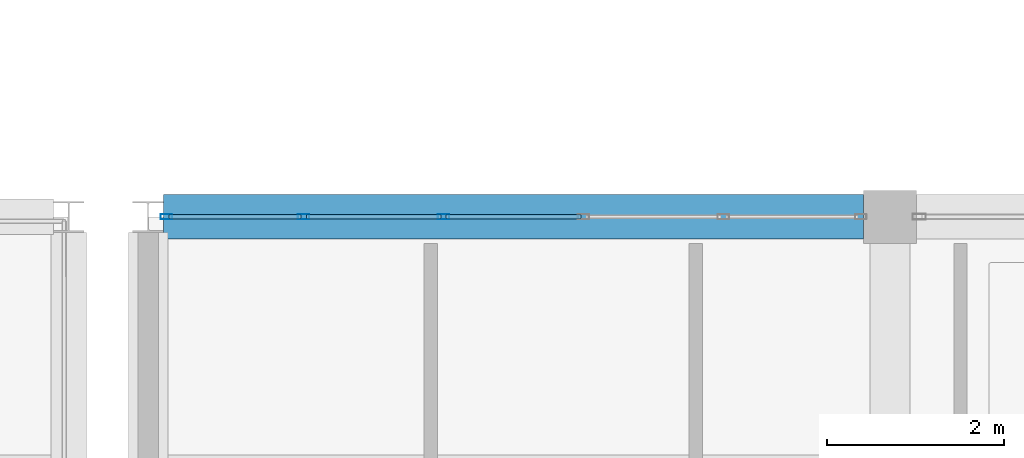
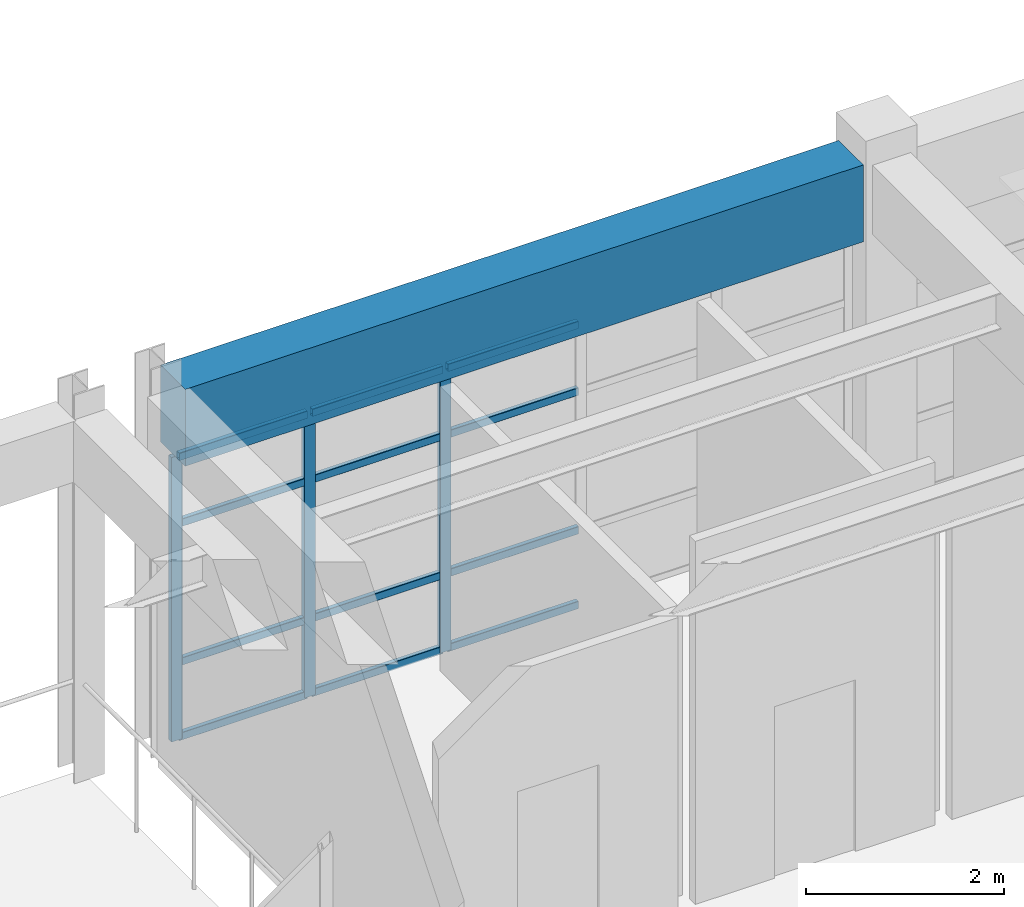
# One storey, part 16 of 139: 15 members, 1 beam, 1 element without a shape of its own.
"""IFC4 building model written with IfcOpenShell, lengths in metres."""

from ifc_helpers import new_model, si_unit, direction, frame, origin, origin_2d, place, context, subcontext, project, spatial, rectangle, hollow_rectangle, extrude, material, material_profile, profile_set, type_object, element, aggregate, save


model = new_model("IFC4")

# Units and contexts
model_context = context("Model", 3, precision=1e-05, world=origin(), true_north=direction((0.0, 1.0)))
body_context = subcontext(model_context, "Body", "Model", "MODEL_VIEW")
ifc_project = project(units=[si_unit("LENGTHUNIT", "METRE"), si_unit("AREAUNIT", "SQUARE_METRE"), si_unit("VOLUMEUNIT", "CUBIC_METRE"), si_unit("PLANEANGLEUNIT", "RADIAN"), si_unit("MASSUNIT", "GRAM", prefix="KILO")], contexts=[model_context])

# Site, building, storey
site_placement = place(None, origin())
site = spatial("IfcSite", under=ifc_project, at=site_placement, CompositionType="ELEMENT")
building_placement = place(site_placement, origin())
building = spatial("IfcBuilding", under=site, at=building_placement, Name="Canglan Escarpment Cableway Terminal", CompositionType="ELEMENT")
storey_placement = place(building_placement, frame((0.0, 0.0, 14.39990234375)))
storey = spatial("IfcBuildingStorey", under=building, at=storey_placement, Name="L03", CompositionType="ELEMENT", Elevation=14.39990234375)

# Beam
ifc_material_1 = material(Name="Concrete C50", Category="concrete")
ifc_material_profile_1 = material_profile(ifc_material_1, rectangle(XDim=0.5, YDim=0.949951171875, at=origin_2d()), Name="RC 500x950")
ifc_profile_set_1 = profile_set([ifc_material_profile_1], Name="Concrete C50")
beam_type = type_object("IfcBeamType", Name="BM-RC500x950", PredefinedType="BEAM", material=ifc_profile_set_1)
beam_placement = place(storey_placement, frame((111.675048828125, 24.800048828125, 4.005126953125), z_axis=(1.0, 0.0, 0.0), x_axis=(0.0, 1.0, 0.0)))
element("IfcBeam", 1, at=beam_placement, inside=storey, type_object=beam_type, Name="Primary structural girder B-01", PredefinedType="BEAM", context=body_context, shape_type="SweptSolid", body=[
    extrude(rectangle(XDim=0.5, YDim=0.949951171875, at=origin_2d()), origin(), (0.0, 0.0, 1.0), 7.925048828125),
])

# Curtain wall, members
ifc_material_2 = material(Name="Anodized bronze aluminium and Low-E double glazing", Category="aluminium")
curtain_wall_type = type_object("IfcCurtainWallType", Name="CW-BAY-7925x3525", PredefinedType="NOTDEFINED", material=ifc_material_2)
curtain_wall_placement = place(storey_placement, origin())
curtain_wall = element("IfcCurtainWall", 2, at=curtain_wall_placement, inside=storey, type_object=curtain_wall_type, Name="Classical bay-between-piers glazed curtain wall CW-17", PredefinedType="NOTDEFINED")
ifc_material_3 = material(Name="Thermally broken anodized aluminium 6063-T6", Category="aluminium")
ifc_material_profile_2 = material_profile(ifc_material_3, hollow_rectangle(XDim=0.06005859375, YDim=0.1298828125, WallThickness=0.0029296875, InnerFilletRadius=0.0029296875, OuterFilletRadius=0.006103515625, at=origin_2d()), Name="ALU-MULL 60x130x3")
ifc_profile_set_2 = profile_set([ifc_material_profile_2], Name="Thermally broken anodized aluminium 6063-T6")
member_type_1 = type_object("IfcMemberType", Name="CWM-01", PredefinedType="MULLION", material=ifc_profile_set_2)
member_1_placement = place(storey_placement, frame((114.844970703125, 24.800048828125, 0.0), z_axis=(0.0, 0.0, 1.0), x_axis=(0.0, -1.0, 0.0)))
member_1 = element("IfcMember", 3, at=member_1_placement, type_object=member_type_1, Name="CW-17 mullion 4", PredefinedType="MULLION", context=body_context, shape_type="SweptSolid", body=[
    extrude(hollow_rectangle(XDim=0.06005859375, YDim=0.1298828125, WallThickness=0.0029296875, InnerFilletRadius=0.0029296875, OuterFilletRadius=0.006103515625, at=origin_2d()), origin(), (0.0, 0.0, 1.0), 3.51513671875),
])
member_2_placement = place(storey_placement, frame((113.260009765625, 24.800048828125, 0.0), z_axis=(0.0, 0.0, 1.0), x_axis=(0.0, -1.0, 0.0)))
member_2 = element("IfcMember", 4, at=member_2_placement, type_object=member_type_1, Name="CW-17 mullion 5", PredefinedType="MULLION", context=body_context, shape_type="SweptSolid", body=[
    extrude(hollow_rectangle(XDim=0.06005859375, YDim=0.1298828125, WallThickness=0.0029296875, InnerFilletRadius=0.0029296875, OuterFilletRadius=0.006103515625, at=origin_2d()), origin(), (0.0, 0.0, 1.0), 3.51513671875),
])
member_3_placement = place(storey_placement, frame((111.705078125, 24.800048828125, 0.0), z_axis=(0.0, 0.0, 1.0), x_axis=(0.0, -1.0, 0.0)))
member_3 = element("IfcMember", 5, at=member_3_placement, type_object=member_type_1, Name="CW-17 mullion 6", PredefinedType="MULLION", context=body_context, shape_type="SweptSolid", body=[
    extrude(hollow_rectangle(XDim=0.06005859375, YDim=0.1298828125, WallThickness=0.0029296875, InnerFilletRadius=0.0029296875, OuterFilletRadius=0.006103515625, at=origin_2d()), origin(), (0.0, 0.0, 1.0), 3.51513671875),
])
ifc_material_profile_3 = material_profile(ifc_material_3, hollow_rectangle(XDim=0.054931640625, YDim=0.094970703125, WallThickness=0.0029296875, InnerFilletRadius=0.0029296875, OuterFilletRadius=0.006103515625, at=origin_2d()), Name="ALU-TRAN 55x95x3")
ifc_profile_set_3 = profile_set([ifc_material_profile_3], Name="Thermally broken anodized aluminium 6063-T6")
member_type_2 = type_object("IfcMemberType", Name="CWT-01", PredefinedType="USERDEFINED", material=ifc_profile_set_3)
member_4_placement = place(storey_placement, frame((116.39990234375, 24.800048828125, 0.027587890625), z_axis=(-1.0, 0.0, 0.0), x_axis=(0.0, -1.0, 0.0)))
member_4 = element("IfcMember", 6, at=member_4_placement, type_object=member_type_2, Name="CW-17 transom 3.1", ObjectType="TRANSOM", PredefinedType="USERDEFINED", context=body_context, shape_type="SweptSolid", body=[
    extrude(hollow_rectangle(XDim=0.054931640625, YDim=0.094970703125, WallThickness=0.0029296875, InnerFilletRadius=0.0029296875, OuterFilletRadius=0.006103515625, at=origin_2d()), origin(), (0.0, 0.0, 1.0), 1.52490234375),
])
member_5_placement = place(storey_placement, frame((116.39990234375, 24.800048828125, 0.9501953125), z_axis=(-1.0, 0.0, 0.0), x_axis=(0.0, -1.0, 0.0)))
member_5 = element("IfcMember", 7, at=member_5_placement, type_object=member_type_2, Name="CW-17 transom 3.2", ObjectType="TRANSOM", PredefinedType="USERDEFINED", context=body_context, shape_type="SweptSolid", body=[
    extrude(hollow_rectangle(XDim=0.054931640625, YDim=0.094970703125, WallThickness=0.0029296875, InnerFilletRadius=0.0029296875, OuterFilletRadius=0.006103515625, at=origin_2d()), origin(), (0.0, 0.0, 1.0), 1.52490234375),
])
member_6_placement = place(storey_placement, frame((116.39990234375, 24.800048828125, 2.6650390625), z_axis=(-1.0, 0.0, 0.0), x_axis=(0.0, -1.0, 0.0)))
member_6 = element("IfcMember", 8, at=member_6_placement, type_object=member_type_2, Name="CW-17 transom 3.3", ObjectType="TRANSOM", PredefinedType="USERDEFINED", context=body_context, shape_type="SweptSolid", body=[
    extrude(hollow_rectangle(XDim=0.054931640625, YDim=0.094970703125, WallThickness=0.0029296875, InnerFilletRadius=0.0029296875, OuterFilletRadius=0.006103515625, at=origin_2d()), origin(), (0.0, 0.0, 1.0), 1.52490234375),
])
member_7_placement = place(storey_placement, frame((116.39990234375, 24.800048828125, 3.487548828125), z_axis=(-1.0, 0.0, 0.0), x_axis=(0.0, -1.0, 0.0)))
member_7 = element("IfcMember", 9, at=member_7_placement, type_object=member_type_2, Name="CW-17 transom 3.4", ObjectType="TRANSOM", PredefinedType="USERDEFINED", context=body_context, shape_type="SweptSolid", body=[
    extrude(hollow_rectangle(XDim=0.054931640625, YDim=0.094970703125, WallThickness=0.0029296875, InnerFilletRadius=0.0029296875, OuterFilletRadius=0.006103515625, at=origin_2d()), origin(), (0.0, 0.0, 1.0), 1.52490234375),
])
member_8_placement = place(storey_placement, frame((114.81494140625, 24.800048828125, 0.027587890625), z_axis=(-1.0, 0.0, 0.0), x_axis=(0.0, -1.0, 0.0)))
member_8 = element("IfcMember", 10, at=member_8_placement, type_object=member_type_2, Name="CW-17 transom 4.1", ObjectType="TRANSOM", PredefinedType="USERDEFINED", context=body_context, shape_type="SweptSolid", body=[
    extrude(hollow_rectangle(XDim=0.054931640625, YDim=0.094970703125, WallThickness=0.0029296875, InnerFilletRadius=0.0029296875, OuterFilletRadius=0.006103515625, at=origin_2d()), origin(), (0.0, 0.0, 1.0), 1.52490234375),
])
member_9_placement = place(storey_placement, frame((114.81494140625, 24.800048828125, 0.9501953125), z_axis=(-1.0, 0.0, 0.0), x_axis=(0.0, -1.0, 0.0)))
member_9 = element("IfcMember", 11, at=member_9_placement, type_object=member_type_2, Name="CW-17 transom 4.2", ObjectType="TRANSOM", PredefinedType="USERDEFINED", context=body_context, shape_type="SweptSolid", body=[
    extrude(hollow_rectangle(XDim=0.054931640625, YDim=0.094970703125, WallThickness=0.0029296875, InnerFilletRadius=0.0029296875, OuterFilletRadius=0.006103515625, at=origin_2d()), origin(), (0.0, 0.0, 1.0), 1.52490234375),
])
member_10_placement = place(storey_placement, frame((114.81494140625, 24.800048828125, 2.6650390625), z_axis=(-1.0, 0.0, 0.0), x_axis=(0.0, -1.0, 0.0)))
member_10 = element("IfcMember", 12, at=member_10_placement, type_object=member_type_2, Name="CW-17 transom 4.3", ObjectType="TRANSOM", PredefinedType="USERDEFINED", context=body_context, shape_type="SweptSolid", body=[
    extrude(hollow_rectangle(XDim=0.054931640625, YDim=0.094970703125, WallThickness=0.0029296875, InnerFilletRadius=0.0029296875, OuterFilletRadius=0.006103515625, at=origin_2d()), origin(), (0.0, 0.0, 1.0), 1.52490234375),
])
member_11_placement = place(storey_placement, frame((114.81494140625, 24.800048828125, 3.487548828125), z_axis=(-1.0, 0.0, 0.0), x_axis=(0.0, -1.0, 0.0)))
member_11 = element("IfcMember", 13, at=member_11_placement, type_object=member_type_2, Name="CW-17 transom 4.4", ObjectType="TRANSOM", PredefinedType="USERDEFINED", context=body_context, shape_type="SweptSolid", body=[
    extrude(hollow_rectangle(XDim=0.054931640625, YDim=0.094970703125, WallThickness=0.0029296875, InnerFilletRadius=0.0029296875, OuterFilletRadius=0.006103515625, at=origin_2d()), origin(), (0.0, 0.0, 1.0), 1.52490234375),
])
member_12_placement = place(storey_placement, frame((113.22998046875, 24.800048828125, 0.027587890625), z_axis=(-1.0, 0.0, 0.0), x_axis=(0.0, -1.0, 0.0)))
member_12 = element("IfcMember", 14, at=member_12_placement, type_object=member_type_2, Name="CW-17 transom 5.1", ObjectType="TRANSOM", PredefinedType="USERDEFINED", context=body_context, shape_type="SweptSolid", body=[
    extrude(hollow_rectangle(XDim=0.054931640625, YDim=0.094970703125, WallThickness=0.0029296875, InnerFilletRadius=0.0029296875, OuterFilletRadius=0.006103515625, at=origin_2d()), origin(), (0.0, 0.0, 1.0), 1.494873046875),
])
member_13_placement = place(storey_placement, frame((113.22998046875, 24.800048828125, 0.9501953125), z_axis=(-1.0, 0.0, 0.0), x_axis=(0.0, -1.0, 0.0)))
member_13 = element("IfcMember", 15, at=member_13_placement, type_object=member_type_2, Name="CW-17 transom 5.2", ObjectType="TRANSOM", PredefinedType="USERDEFINED", context=body_context, shape_type="SweptSolid", body=[
    extrude(hollow_rectangle(XDim=0.054931640625, YDim=0.094970703125, WallThickness=0.0029296875, InnerFilletRadius=0.0029296875, OuterFilletRadius=0.006103515625, at=origin_2d()), origin(), (0.0, 0.0, 1.0), 1.494873046875),
])
member_14_placement = place(storey_placement, frame((113.22998046875, 24.800048828125, 2.6650390625), z_axis=(-1.0, 0.0, 0.0), x_axis=(0.0, -1.0, 0.0)))
member_14 = element("IfcMember", 16, at=member_14_placement, type_object=member_type_2, Name="CW-17 transom 5.3", ObjectType="TRANSOM", PredefinedType="USERDEFINED", context=body_context, shape_type="SweptSolid", body=[
    extrude(hollow_rectangle(XDim=0.054931640625, YDim=0.094970703125, WallThickness=0.0029296875, InnerFilletRadius=0.0029296875, OuterFilletRadius=0.006103515625, at=origin_2d()), origin(), (0.0, 0.0, 1.0), 1.494873046875),
])
member_15_placement = place(storey_placement, frame((113.22998046875, 24.800048828125, 3.487548828125), z_axis=(-1.0, 0.0, 0.0), x_axis=(0.0, -1.0, 0.0)))
member_15 = element("IfcMember", 17, at=member_15_placement, type_object=member_type_2, Name="CW-17 transom 5.4", ObjectType="TRANSOM", PredefinedType="USERDEFINED", context=body_context, shape_type="SweptSolid", body=[
    extrude(hollow_rectangle(XDim=0.054931640625, YDim=0.094970703125, WallThickness=0.0029296875, InnerFilletRadius=0.0029296875, OuterFilletRadius=0.006103515625, at=origin_2d()), origin(), (0.0, 0.0, 1.0), 1.494873046875),
])
aggregate(curtain_wall, [member_1, member_2, member_3, member_4, member_5, member_6, member_7, member_8, member_9, member_10, member_11, member_12, member_13, member_14, member_15])

save(model, "model.ifc")
